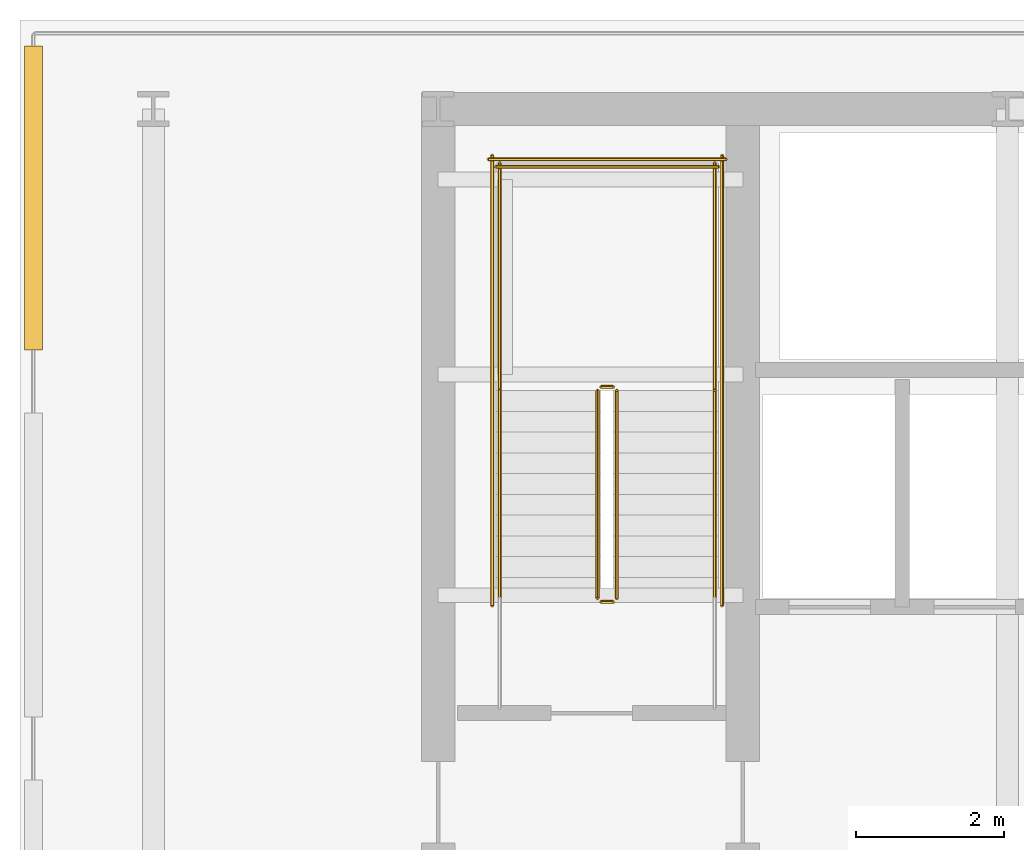
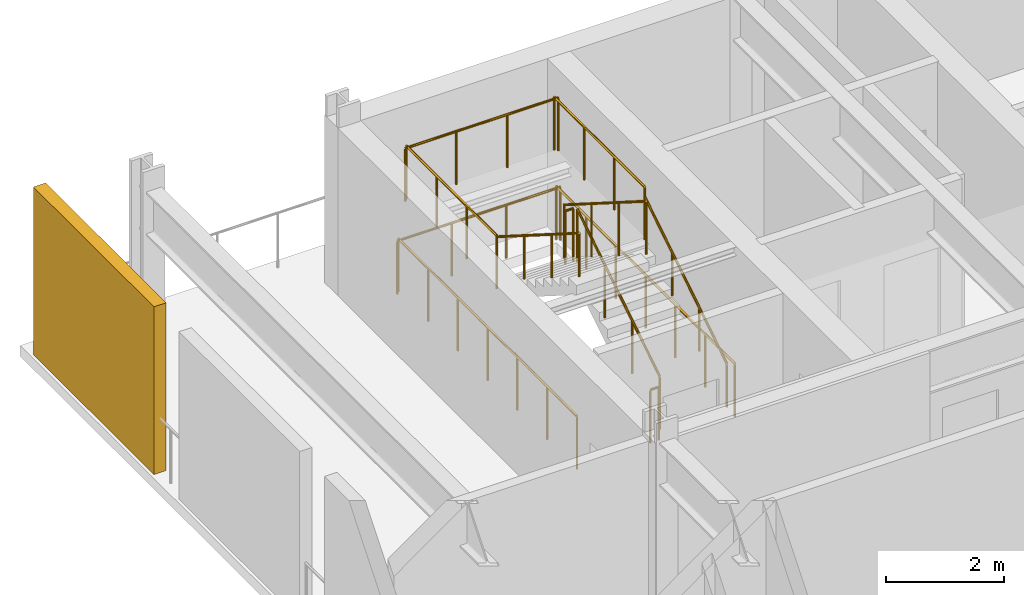
# One storey, part 5 of 7: 12 railings, 1 shading device.
"""IFC4 building model written with IfcOpenShell, lengths in metres."""

from ifc_helpers import new_model, si_unit, direction, frame, origin, origin_2d, place, context, subcontext, project, spatial, rectangle, circle, extrude, material, layer, layer_set, type_object, element, save


model = new_model("IFC4")

# Units and contexts
model_context = context("Model", 3, precision=1e-05, world=origin(), true_north=direction((0.0, 1.0)))
body_context = subcontext(model_context, "Body", "Model", "MODEL_VIEW")
ifc_project = project(units=[si_unit("LENGTHUNIT", "METRE"), si_unit("AREAUNIT", "SQUARE_METRE"), si_unit("VOLUMEUNIT", "CUBIC_METRE"), si_unit("PLANEANGLEUNIT", "RADIAN"), si_unit("MASSUNIT", "GRAM", prefix="KILO")], contexts=[model_context])

# Site, building, storey
site_placement = place(None, origin())
site = spatial("IfcSite", under=ifc_project, at=site_placement, CompositionType="ELEMENT")
building_placement = place(site_placement, origin())
building = spatial("IfcBuilding", under=site, at=building_placement, Name="Yelkora Congress Tower", CompositionType="ELEMENT")
storey_placement = place(building_placement, frame((0.0, 0.0, 141.199951171875)))
storey = spatial("IfcBuildingStorey", under=building, at=storey_placement, Name="L38", CompositionType="ELEMENT", Elevation=141.199951171875)

# Railings
ifc_material_1 = material(Name="Painted galvanised steel stair well guard with vertical infill", Category="steel")
ifc_layer_1 = layer(ifc_material_1, 0.06005859375)
ifc_layer_set_1 = layer_set([ifc_layer_1], Name="Painted galvanised steel stair well guard with vertical infill")
railing_type_1 = type_object("IfcRailingType", Name="RAIL-STAIR-GUARD-1120", PredefinedType="GUARDRAIL", material=ifc_layer_set_1)
railing_1_placement = place(storey_placement, frame((25.449951171875, 39.60009765625, 0.17724609375)))
element("IfcRailing", 1, at=railing_1_placement, inside=storey, type_object=railing_type_1, Name="ST-01 L38 Stair Well Guardrail 1", PredefinedType="GUARDRAIL", context=body_context, shape_type="SweptSolid", body=[
    extrude(circle(Radius=0.02392578125, at=origin_2d()), frame((0.0, 0.0, 1.09619140625), z_axis=(0.0, 0.844887892834, 0.53494340686), x_axis=(-1.0, 0.0, 0.0)), (0.0, 0.0, 1.0), 3.313720703125),
    extrude(circle(Radius=0.02099609375, at=origin_2d()), origin(), (0.0, 0.0, 1.0), 1.072021484375),
    extrude(circle(Radius=0.02099609375, at=origin_2d()), frame((0.0, 0.933349609375, 0.5908203125)), (0.0, 0.0, 1.0), 1.072021484375),
    extrude(circle(Radius=0.02099609375, at=origin_2d()), frame((0.0, 1.866455078125, 1.181884765625)), (0.0, 0.0, 1.0), 1.072021484375),
    extrude(circle(Radius=0.02099609375, at=origin_2d()), frame((0.0, 2.7998046875, 1.772705078125)), (0.0, 0.0, 1.0), 1.072021484375),
])
railing_2_placement = place(storey_placement, frame((25.39990234375, 42.449951171875, 1.949951171875)))
element("IfcRailing", 2, at=railing_2_placement, inside=storey, type_object=railing_type_1, Name="ST-01 L38 Stair Well Guardrail 2", PredefinedType="GUARDRAIL", context=body_context, shape_type="SweptSolid", body=[
    extrude(circle(Radius=0.02392578125, at=origin_2d()), frame((0.0, 0.0, 1.09619140625), z_axis=(-1.0, 0.0, 0.0), x_axis=(0.0, -1.0, 0.0)), (0.0, 0.0, 1.0), 0.159912109375),
    extrude(circle(Radius=0.02099609375, at=origin_2d()), origin(), (0.0, 0.0, 1.0), 1.072021484375),
    extrude(circle(Radius=0.02099609375, at=origin_2d()), frame((-0.159912109375, 0.0, 0.0)), (0.0, 0.0, 1.0), 1.072021484375),
])
for number, where, name in (
    (3, (26.77001953125, 42.39990234375, 1.949951171875), "ST-01 L38 Stair Well Guardrail 3"),
    (4, (23.8701171875, 42.39990234375, 1.949951171875), "ST-01 L38 Stair Well Guardrail 4"),
):
    element("IfcRailing", number, at=place(storey_placement, frame(where)), inside=storey, type_object=railing_type_1, Name=name, PredefinedType="GUARDRAIL", context=body_context, shape_type="SweptSolid", body=[
        extrude(circle(Radius=0.02392578125, at=origin_2d()), frame((0.0, 0.0, 1.09619140625), z_axis=(0.0, 1.0, 0.0), x_axis=(-1.0, 0.0, 0.0)), (0.0, 0.0, 1.0), 3.070068359375),
        extrude(circle(Radius=0.02099609375, at=origin_2d()), origin(), (0.0, 0.0, 1.0), 1.072021484375),
        extrude(circle(Radius=0.02099609375, at=origin_2d()), frame((0.0, 1.0234375, 0.0)), (0.0, 0.0, 1.0), 1.072021484375),
        extrude(circle(Radius=0.02099609375, at=origin_2d()), frame((0.0, 2.046630859375, 0.0)), (0.0, 0.0, 1.0), 1.072021484375),
        extrude(circle(Radius=0.02099609375, at=origin_2d()), frame((0.0, 3.070068359375, 0.0)), (0.0, 0.0, 1.0), 1.072021484375),
    ])
railing_3_placement = place(storey_placement, frame((26.820068359375, 45.419921875, 1.949951171875)))
element("IfcRailing", 5, at=railing_3_placement, inside=storey, type_object=railing_type_1, Name="ST-01 L38 Stair Well Guardrail 5", PredefinedType="GUARDRAIL", context=body_context, shape_type="SweptSolid", body=[
    extrude(circle(Radius=0.02392578125, at=origin_2d()), frame((0.0, 0.0, 1.09619140625), z_axis=(-1.0, 0.0, 0.0), x_axis=(0.0, -1.0, 0.0)), (0.0, 0.0, 1.0), 3.0),
    extrude(circle(Radius=0.02099609375, at=origin_2d()), origin(), (0.0, 0.0, 1.0), 1.072021484375),
    extrude(circle(Radius=0.02099609375, at=origin_2d()), frame((-1.0, 0.0, 0.0)), (0.0, 0.0, 1.0), 1.072021484375),
    extrude(circle(Radius=0.02099609375, at=origin_2d()), frame((-2.0, 0.0, 0.0)), (0.0, 0.0, 1.0), 1.072021484375),
    extrude(circle(Radius=0.02099609375, at=origin_2d()), frame((-3.0, 0.0, 0.0)), (0.0, 0.0, 1.0), 1.072021484375),
])
railing_4_placement = place(storey_placement, frame((25.18994140625, 42.39990234375, 2.12744140625)))
element("IfcRailing", 6, at=railing_4_placement, inside=storey, type_object=railing_type_1, Name="ST-01 L38 Stair Well Guardrail 6", PredefinedType="GUARDRAIL", context=body_context, shape_type="SweptSolid", body=[
    extrude(circle(Radius=0.02392578125, at=origin_2d()), frame((0.0, 0.0, 1.09619140625), z_axis=(0.0, -0.844887892834, 0.53494340686), x_axis=(1.0, 0.0, 0.0)), (0.0, 0.0, 1.0), 3.313720703125),
    extrude(circle(Radius=0.02099609375, at=origin_2d()), origin(), (0.0, 0.0, 1.0), 1.072021484375),
    extrude(circle(Radius=0.02099609375, at=origin_2d()), frame((0.0, -0.933349609375, 0.5908203125)), (0.0, 0.0, 1.0), 1.072021484375),
    extrude(circle(Radius=0.02099609375, at=origin_2d()), frame((0.0, -1.866455078125, 1.181884765625)), (0.0, 0.0, 1.0), 1.072021484375),
    extrude(circle(Radius=0.02099609375, at=origin_2d()), frame((0.0, -2.7998046875, 1.772705078125)), (0.0, 0.0, 1.0), 1.072021484375),
])
railing_5_placement = place(storey_placement, frame((25.39990234375, 39.550048828125, 0.0)))
element("IfcRailing", 7, at=railing_5_placement, inside=storey, type_object=railing_type_1, Name="ST-01 L38 Stair Well Guardrail 7", PredefinedType="GUARDRAIL", context=body_context, shape_type="SweptSolid", body=[
    extrude(circle(Radius=0.02392578125, at=origin_2d()), frame((0.0, 0.0, 1.09619140625), z_axis=(-1.0, 0.0, 0.0), x_axis=(0.0, -1.0, 0.0)), (0.0, 0.0, 1.0), 0.159912109375),
    extrude(circle(Radius=0.02099609375, at=origin_2d()), origin(), (0.0, 0.0, 1.0), 1.072021484375),
    extrude(circle(Radius=0.02099609375, at=origin_2d()), frame((-0.159912109375, 0.0, 0.0)), (0.0, 0.0, 1.0), 1.072021484375),
])
for number, where, name in (
    (8, (26.8701171875, 39.5, 0.0), "ST-01 L38 Stair Well Guardrail 10"),
    (9, (23.77001953125, 39.5, 0.0), "ST-01 L38 Stair Well Guardrail 11"),
):
    element("IfcRailing", number, at=place(storey_placement, frame(where)), inside=storey, type_object=railing_type_1, Name=name, PredefinedType="GUARDRAIL", context=body_context, shape_type="SweptSolid", body=[
        extrude(circle(Radius=0.02392578125, at=origin_2d()), frame((0.0, 0.0, 1.09619140625), z_axis=(0.0, 1.0, 0.0), x_axis=(-1.0, 0.0, 0.0)), (0.0, 0.0, 1.0), 6.070068359375),
        extrude(circle(Radius=0.02099609375, at=origin_2d()), origin(), (0.0, 0.0, 1.0), 1.072021484375),
        extrude(circle(Radius=0.02099609375, at=origin_2d()), frame((0.0, 1.01171875, 0.0)), (0.0, 0.0, 1.0), 1.072021484375),
        extrude(circle(Radius=0.02099609375, at=origin_2d()), frame((0.0, 2.0234375, 0.0)), (0.0, 0.0, 1.0), 1.072021484375),
        extrude(circle(Radius=0.02099609375, at=origin_2d()), frame((0.0, 3.03515625, 0.0)), (0.0, 0.0, 1.0), 1.072021484375),
        extrude(circle(Radius=0.02099609375, at=origin_2d()), frame((0.0, 4.046630859375, 0.0)), (0.0, 0.0, 1.0), 1.072021484375),
        extrude(circle(Radius=0.02099609375, at=origin_2d()), frame((0.0, 5.058349609375, 0.0)), (0.0, 0.0, 1.0), 1.072021484375),
        extrude(circle(Radius=0.02099609375, at=origin_2d()), frame((0.0, 6.070068359375, 0.0)), (0.0, 0.0, 1.0), 1.072021484375),
    ])
railing_6_placement = place(storey_placement, frame((26.919921875, 45.52001953125, 0.0)))
element("IfcRailing", 10, at=railing_6_placement, inside=storey, type_object=railing_type_1, Name="ST-01 L38 Stair Well Guardrail 12", PredefinedType="GUARDRAIL", context=body_context, shape_type="SweptSolid", body=[
    extrude(circle(Radius=0.02392578125, at=origin_2d()), frame((0.0, 0.0, 1.09619140625), z_axis=(-1.0, 0.0, 0.0), x_axis=(0.0, -1.0, 0.0)), (0.0, 0.0, 1.0), 3.199951171875),
    extrude(circle(Radius=0.02099609375, at=origin_2d()), origin(), (0.0, 0.0, 1.0), 1.072021484375),
    extrude(circle(Radius=0.02099609375, at=origin_2d()), frame((-1.066650390625, 0.0, 0.0)), (0.0, 0.0, 1.0), 1.072021484375),
    extrude(circle(Radius=0.02099609375, at=origin_2d()), frame((-2.13330078125, 0.0, 0.0)), (0.0, 0.0, 1.0), 1.072021484375),
    extrude(circle(Radius=0.02099609375, at=origin_2d()), frame((-3.199951171875, 0.0, 0.0)), (0.0, 0.0, 1.0), 1.072021484375),
])
ifc_material_2 = material(Name="Brushed stainless steel tubular handrail", Category="steel")
ifc_layer_2 = layer(ifc_material_2, 0.050048828125)
ifc_layer_set_2 = layer_set([ifc_layer_2], Name="Brushed stainless steel tubular handrail")
railing_type_2 = type_object("IfcRailingType", Name="RAIL-STAIR-HAND-920", PredefinedType="HANDRAIL", material=ifc_layer_set_2)
railing_7_placement = place(storey_placement, frame((26.77001953125, 39.60009765625, 0.17724609375)))
element("IfcRailing", 11, at=railing_7_placement, inside=storey, type_object=railing_type_2, Name="ST-01 L38 Pitch Handrail 1", PredefinedType="HANDRAIL", context=body_context, shape_type="SweptSolid", body=[
    extrude(circle(Radius=0.02392578125, at=origin_2d()), frame((0.0, 0.0, 0.89599609375), z_axis=(0.0, 0.844887892834, 0.53494340686), x_axis=(-1.0, 0.0, 0.0)), (0.0, 0.0, 1.0), 3.313720703125),
    extrude(circle(Radius=0.02099609375, at=origin_2d()), origin(), (0.0, 0.0, 1.0), 0.871826171875),
    extrude(circle(Radius=0.02099609375, at=origin_2d()), frame((0.0, 0.933349609375, 0.5908203125)), (0.0, 0.0, 1.0), 0.871826171875),
    extrude(circle(Radius=0.02099609375, at=origin_2d()), frame((0.0, 1.866455078125, 1.181884765625)), (0.0, 0.0, 1.0), 0.871826171875),
    extrude(circle(Radius=0.02099609375, at=origin_2d()), frame((0.0, 2.7998046875, 1.772705078125)), (0.0, 0.0, 1.0), 0.871826171875),
])
railing_8_placement = place(storey_placement, frame((23.8701171875, 42.39990234375, 2.12744140625)))
element("IfcRailing", 12, at=railing_8_placement, inside=storey, type_object=railing_type_2, Name="ST-01 L38 Pitch Handrail 2", PredefinedType="HANDRAIL", context=body_context, shape_type="SweptSolid", body=[
    extrude(circle(Radius=0.02392578125, at=origin_2d()), frame((0.0, 0.0, 0.89599609375), z_axis=(0.0, -0.844887892834, 0.53494340686), x_axis=(1.0, 0.0, 0.0)), (0.0, 0.0, 1.0), 3.313720703125),
    extrude(circle(Radius=0.02099609375, at=origin_2d()), origin(), (0.0, 0.0, 1.0), 0.871826171875),
    extrude(circle(Radius=0.02099609375, at=origin_2d()), frame((0.0, -0.933349609375, 0.5908203125)), (0.0, 0.0, 1.0), 0.871826171875),
    extrude(circle(Radius=0.02099609375, at=origin_2d()), frame((0.0, -1.866455078125, 1.181884765625)), (0.0, 0.0, 1.0), 0.871826171875),
    extrude(circle(Radius=0.02099609375, at=origin_2d()), frame((0.0, -2.7998046875, 1.772705078125)), (0.0, 0.0, 1.0), 0.871826171875),
])

# Shading device
ifc_material_3 = material(Name="Perforated anodised aluminium louvre", Category="aluminium")
ifc_layer_3 = layer(ifc_material_3, 3.39990234375)
ifc_layer_set_3 = layer_set([ifc_layer_3], Name="Perforated anodised aluminium louvre")
shading_device_type = type_object("IfcShadingDeviceType", Name="SHD-LOUVRE-WIND", PredefinedType="JALOUSIE", material=ifc_layer_set_3)
shading_device_placement = place(storey_placement, frame((17.580078125, 45.0, 0.0), z_axis=(0.0, 0.0, 1.0), x_axis=(1.0, 0.0, 0.0)))
element("IfcShadingDevice", 13, at=shading_device_placement, inside=storey, type_object=shading_device_type, Name="L38 Acoustic Wind-Floor Louvre Screen W5", PredefinedType="JALOUSIE", context=body_context, shape_type="SweptSolid", body=[
    extrude(rectangle(XDim=0.239990234375, YDim=4.10009765625, at=origin_2d()), origin(), (0.0, 0.0, 1.0), 3.47998046875),
])

save(model, "model.ifc")
